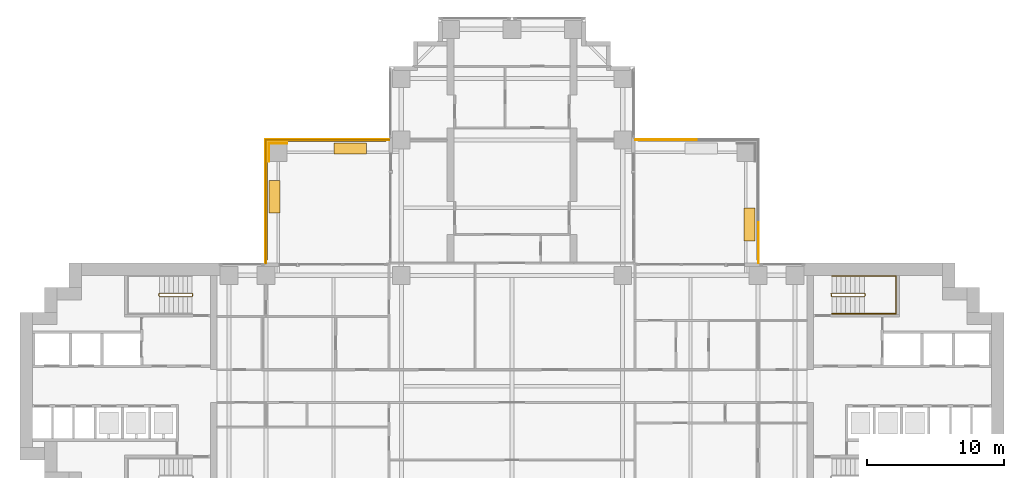
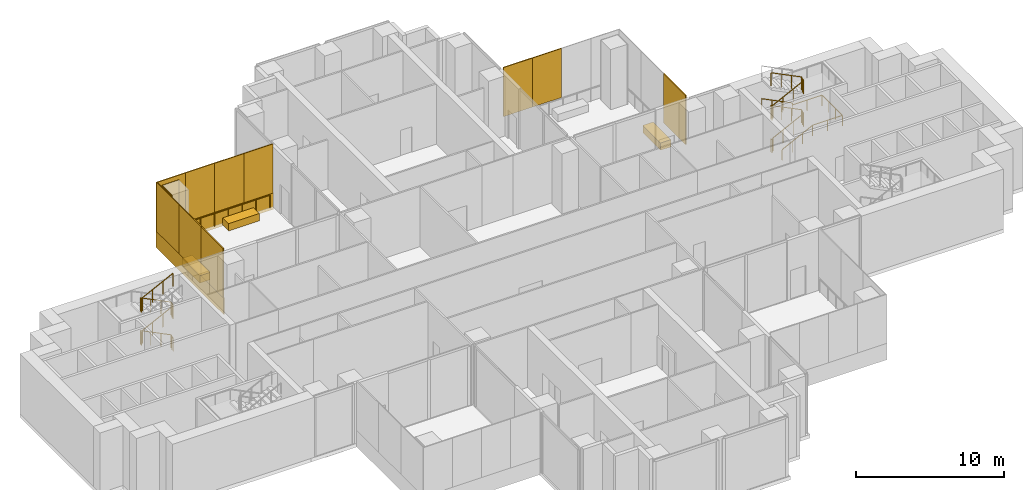
# One storey, part 15 of 17: 16 coverings, 4 railings.
"""IFC4 building model written with IfcOpenShell, lengths in metres."""

from ifc_helpers import new_model, si_unit, direction, frame, origin, origin_2d, place, context, subcontext, project, spatial, polyline, rectangle, outline, extrude, material, layer, layer_set, type_object, element, save


model = new_model("IFC4")

# Units and contexts
model_context = context("Model", 3, precision=1e-05, world=origin(), true_north=direction((0.0, 1.0)))
body_context = subcontext(model_context, "Body", "Model", "MODEL_VIEW")
ifc_project = project(units=[si_unit("LENGTHUNIT", "METRE"), si_unit("AREAUNIT", "SQUARE_METRE"), si_unit("VOLUMEUNIT", "CUBIC_METRE"), si_unit("PLANEANGLEUNIT", "RADIAN"), si_unit("MASSUNIT", "GRAM", prefix="KILO")], contexts=[model_context])

# Site, building, storey
site_placement = place(None, origin())
site = spatial("IfcSite", under=ifc_project, at=site_placement, CompositionType="ELEMENT")
building_placement = place(site_placement, origin())
building = spatial("IfcBuilding", under=site, at=building_placement, Name="Perihelion Cross Residences", CompositionType="ELEMENT")
storey_placement = place(building_placement, frame((0.0, 0.0, 92.5)))
storey = spatial("IfcBuildingStorey", under=building, at=storey_placement, Name="L21", CompositionType="ELEMENT", Elevation=92.5)

# Railing
ifc_material_1 = material(Name="Bronze anodised aluminium", Category="aluminium")
railing_type_1 = type_object("IfcRailingType", Name="Balcony guard 1100", PredefinedType="GUARDRAIL", material=ifc_material_1)
railing_1_placement = place(storey_placement, frame((-17.93994140625, 9.25, 0.0)))
element("IfcRailing", 1, at=railing_1_placement, inside=storey, type_object=railing_type_1, Name="Guard GU1 L21 pocket north-west 1", PredefinedType="GUARDRAIL", context=body_context, shape_type="SweptSolid", body=[
    extrude(rectangle(XDim=0.048095703125, YDim=0.048095703125, at=origin_2d()), frame((0.0, 0.0, 1.076171875), z_axis=(0.0, 1.0, 0.0), x_axis=(-1.0, 0.0, 0.0)), (0.0, 0.0, 1.0), 8.68994140625),
    extrude(rectangle(XDim=0.048095703125, YDim=0.048095703125, at=origin_2d()), frame((0.0, 8.68994140625, 1.076171875), z_axis=(1.0, 0.0, 0.0), x_axis=(0.0, 1.0, 0.0)), (0.0, 0.0, 1.0), 8.68994140625),
    extrude(rectangle(XDim=0.0419921875, YDim=0.0419921875, at=origin_2d()), origin(), (0.0, 0.0, 1.0), 1.052001953125),
    extrude(rectangle(XDim=0.0419921875, YDim=0.0419921875, at=origin_2d()), frame((0.0, 1.086181640625, 0.0)), (0.0, 0.0, 1.0), 1.052001953125),
    extrude(rectangle(XDim=0.0419921875, YDim=0.0419921875, at=origin_2d()), frame((0.0, 2.17236328125, 0.0)), (0.0, 0.0, 1.0), 1.052001953125),
    extrude(rectangle(XDim=0.0419921875, YDim=0.0419921875, at=origin_2d()), frame((0.0, 3.2587890625, 0.0)), (0.0, 0.0, 1.0), 1.052001953125),
    extrude(rectangle(XDim=0.0419921875, YDim=0.0419921875, at=origin_2d()), frame((0.0, 4.344970703125, 0.0)), (0.0, 0.0, 1.0), 1.052001953125),
    extrude(rectangle(XDim=0.0419921875, YDim=0.0419921875, at=origin_2d()), frame((0.0, 5.43115234375, 0.0)), (0.0, 0.0, 1.0), 1.052001953125),
    extrude(rectangle(XDim=0.0419921875, YDim=0.0419921875, at=origin_2d()), frame((0.0, 6.517578125, 0.0)), (0.0, 0.0, 1.0), 1.052001953125),
    extrude(rectangle(XDim=0.0419921875, YDim=0.0419921875, at=origin_2d()), frame((0.0, 7.603759765625, 0.0)), (0.0, 0.0, 1.0), 1.052001953125),
    extrude(rectangle(XDim=0.0419921875, YDim=0.0419921875, at=origin_2d()), frame((0.0, 8.68994140625, 0.0)), (0.0, 0.0, 1.0), 1.052001953125),
    extrude(rectangle(XDim=0.0419921875, YDim=0.0419921875, at=origin_2d()), frame((1.086181640625, 8.68994140625, 0.0)), (0.0, 0.0, 1.0), 1.052001953125),
    extrude(rectangle(XDim=0.0419921875, YDim=0.0419921875, at=origin_2d()), frame((2.17236328125, 8.68994140625, 0.0)), (0.0, 0.0, 1.0), 1.052001953125),
    extrude(rectangle(XDim=0.0419921875, YDim=0.0419921875, at=origin_2d()), frame((3.2587890625, 8.68994140625, 0.0)), (0.0, 0.0, 1.0), 1.052001953125),
    extrude(rectangle(XDim=0.0419921875, YDim=0.0419921875, at=origin_2d()), frame((4.344970703125, 8.68994140625, 0.0)), (0.0, 0.0, 1.0), 1.052001953125),
    extrude(rectangle(XDim=0.0419921875, YDim=0.0419921875, at=origin_2d()), frame((5.43115234375, 8.68994140625, 0.0)), (0.0, 0.0, 1.0), 1.052001953125),
    extrude(rectangle(XDim=0.0419921875, YDim=0.0419921875, at=origin_2d()), frame((6.517578125, 8.68994140625, 0.0)), (0.0, 0.0, 1.0), 1.052001953125),
    extrude(rectangle(XDim=0.0419921875, YDim=0.0419921875, at=origin_2d()), frame((7.603759765625, 8.68994140625, 0.0)), (0.0, 0.0, 1.0), 1.052001953125),
    extrude(rectangle(XDim=0.0419921875, YDim=0.0419921875, at=origin_2d()), frame((8.68994140625, 8.68994140625, 0.0)), (0.0, 0.0, 1.0), 1.052001953125),
])

# Coverings
ifc_material_2 = material(Name="Bronze anodised aluminium", Category="aluminium")
ifc_layer_1 = layer(ifc_material_2, 0.0400390625)
ifc_layer_set_1 = layer_set([ifc_layer_1], Name="Bronze column casing 40")
covering_type_1 = type_object("IfcCoveringType", Name="Bronze column casing 40", PredefinedType="CLADDING", material=ifc_layer_set_1)
covering_1_placement = place(storey_placement, frame((-17.77001953125, 17.10009765625, -0.300048828125), z_axis=(0.0, 0.0, 1.0), x_axis=(1.0, 0.0, 0.0)))
element("IfcCovering", 2, at=covering_1_placement, inside=storey, type_object=covering_type_1, Name="Cladding CC1 L21 casing east-west no. 2", PredefinedType="CLADDING", context=body_context, shape_type="SweptSolid", body=[
    extrude(rectangle(XDim=0.0400390625, YDim=1.3798828125, at=origin_2d()), origin(), (0.0, 0.0, 1.0), 5.25),
])
covering_2_placement = place(storey_placement, frame((-17.10009765625, 17.77001953125, -0.300048828125), z_axis=(0.0, 0.0, 1.0), x_axis=(1.0, 0.0, 0.0)))
element("IfcCovering", 3, at=covering_2_placement, inside=storey, type_object=covering_type_1, Name="Cladding CC1 L21 casing north-south no. 2", PredefinedType="CLADDING", context=body_context, shape_type="SweptSolid", body=[
    extrude(rectangle(XDim=1.300048828125, YDim=0.0400390625, at=origin_2d()), origin(), (0.0, 0.0, 1.0), 5.25),
])
ifc_material_3 = material(Name="Precast concrete C40/50", Category="concrete")
covering_type_2 = type_object("IfcCoveringType", Name="Planter box 2400", PredefinedType="USERDEFINED", material=ifc_material_3)
for number, where, z_axis, x_axis, name in (
    (4, (17.389892578125, 11.830078125, 0.0), (0.0, 0.0, 1.0), (0.0, -1.0, 0.0), "Planter PT1 L21 pocket north-east 2"),
    (5, (-17.389892578125, 13.85009765625, 0.0), (0.0, 0.0, 1.0), (0.0, 1.0, 0.0), "Planter PT1 L21 pocket north-west 1"),
    (6, (-11.830078125, 17.389892578125, 0.0), (0.0, 0.0, 1.0), (1.0, 0.0, 0.0), "Planter PT1 L21 pocket north-west 2"),
):
    element("IfcCovering", number, at=place(storey_placement, frame(where, z_axis=z_axis, x_axis=x_axis)), inside=storey, type_object=covering_type_2, Name=name, ObjectType="PLANTER", PredefinedType="USERDEFINED", context=body_context, shape_type="SweptSolid", body=[
        extrude(rectangle(XDim=2.39990234375, YDim=0.800048828125, at=origin_2d()), origin(), (0.0, 0.0, 1.0), 0.60009765625),
    ])
ifc_material_4 = material(Name="Bronze anodised aluminium", Category="aluminium")
ifc_layer_2 = layer(ifc_material_4, 0.070068359375)
ifc_layer_set_2 = layer_set([ifc_layer_2], Name="Pocket fascia 1350")
covering_type_3 = type_object("IfcCoveringType", Name="Pocket fascia 1350", PredefinedType="CLADDING", material=ifc_layer_set_2)
covering_3_placement = place(storey_placement, frame((0.0, 0.0, -0.25)))
element("IfcCovering", 7, at=covering_3_placement, inside=storey, type_object=covering_type_3, Name="Fascia BF2 L21 pocket north-west 1", PredefinedType="CLADDING", context=body_context, shape_type="SweptSolid", body=[
    extrude(outline(polyline([(-18.070068359375, 8.929931640625), (-18.0, 8.929931640625), (-18.0, 9.0), (-18.0, 9.0), (-18.0, 18.0), (-9.0, 18.0), (-9.0, 18.0), (-8.929931640625, 18.0), (-8.929931640625, 18.070068359375), (-18.070068359375, 18.070068359375), (-18.070068359375, 8.929931640625)])), origin(), (0.0, 0.0, 1.0), 1.35009765625),
])
ifc_material_5 = material(Name="Bronze perforated aluminium", Category="aluminium")
ifc_layer_3 = layer(ifc_material_5, 0.070068359375)
ifc_layer_set_3 = layer_set([ifc_layer_3], Name="Pocket solar screen, bronze perforated")
covering_type_4 = type_object("IfcCoveringType", Name="Pocket solar screen, bronze perforated", PredefinedType="CLADDING", material=ifc_layer_set_3)
covering_4_placement = place(storey_placement, frame((0.0, 0.0, 1.10009765625)))
element("IfcCovering", 8, at=covering_4_placement, inside=storey, type_object=covering_type_4, Name="Solar screen PS1 L21 pocket north-east no. 1", PredefinedType="CLADDING", context=body_context, shape_type="SweptSolid", body=[
    extrude(outline(polyline([(18.070068359375, 9.0), (18.070068359375, 12.0), (18.0, 12.0), (18.0, 9.0), (18.070068359375, 9.0)])), origin(), (0.0, 0.0, 1.0), 4.0498046875),
])
covering_5_placement = place(storey_placement, frame((0.0, 0.0, 1.10009765625)))
element("IfcCovering", 9, at=covering_5_placement, inside=storey, type_object=covering_type_4, Name="Solar screen PS1 L21 pocket north-east no. 4", PredefinedType="CLADDING", context=body_context, shape_type="SweptSolid", body=[
    extrude(outline(polyline([(11.267578125, 18.0), (11.267578125, 18.070068359375), (9.0, 18.070068359375), (9.0, 18.0), (11.267578125, 18.0)])), origin(), (0.0, 0.0, 1.0), 4.0498046875),
])
covering_6_placement = place(storey_placement, frame((0.0, 0.0, 1.10009765625)))
element("IfcCovering", 10, at=covering_6_placement, inside=storey, type_object=covering_type_4, Name="Solar screen PS1 L21 pocket north-east no. 5", PredefinedType="CLADDING", context=body_context, shape_type="SweptSolid", body=[
    extrude(outline(polyline([(13.534912109375, 18.0), (13.534912109375, 18.070068359375), (11.267578125, 18.070068359375), (11.267578125, 18.0), (13.534912109375, 18.0)])), origin(), (0.0, 0.0, 1.0), 4.0498046875),
])
covering_7_placement = place(storey_placement, frame((0.0, 0.0, 1.10009765625)))
element("IfcCovering", 11, at=covering_7_placement, inside=storey, type_object=covering_type_4, Name="Solar screen PS1 L21 pocket north-west no. 1", PredefinedType="CLADDING", context=body_context, shape_type="SweptSolid", body=[
    extrude(outline(polyline([(-18.0, 9.0), (-18.0, 12.0), (-18.070068359375, 12.0), (-18.070068359375, 9.0), (-18.0, 9.0)])), origin(), (0.0, 0.0, 1.0), 4.0498046875),
])
covering_8_placement = place(storey_placement, frame((0.0, 0.0, 1.10009765625)))
element("IfcCovering", 12, at=covering_8_placement, inside=storey, type_object=covering_type_4, Name="Solar screen PS1 L21 pocket north-west no. 2", PredefinedType="CLADDING", context=body_context, shape_type="SweptSolid", body=[
    extrude(outline(polyline([(-18.0, 12.0), (-18.0, 15.0), (-18.070068359375, 15.0), (-18.070068359375, 12.0), (-18.0, 12.0)])), origin(), (0.0, 0.0, 1.0), 4.0498046875),
])
covering_9_placement = place(storey_placement, frame((0.0, 0.0, 1.10009765625)))
element("IfcCovering", 13, at=covering_9_placement, inside=storey, type_object=covering_type_4, Name="Solar screen PS1 L21 pocket north-west no. 3", PredefinedType="CLADDING", context=body_context, shape_type="SweptSolid", body=[
    extrude(outline(polyline([(-18.0, 15.0), (-18.0, 18.0), (-18.070068359375, 18.0), (-18.070068359375, 15.0), (-18.0, 15.0)])), origin(), (0.0, 0.0, 1.0), 4.0498046875),
])
covering_10_placement = place(storey_placement, frame((0.0, 0.0, 1.10009765625)))
element("IfcCovering", 14, at=covering_10_placement, inside=storey, type_object=covering_type_4, Name="Solar screen PS1 L21 pocket north-west no. 4", PredefinedType="CLADDING", context=body_context, shape_type="SweptSolid", body=[
    extrude(outline(polyline([(-15.802490234375, 18.0), (-15.802490234375, 18.070068359375), (-18.070068359375, 18.070068359375), (-18.070068359375, 18.0), (-15.802490234375, 18.0)])), origin(), (0.0, 0.0, 1.0), 4.0498046875),
])
covering_11_placement = place(storey_placement, frame((0.0, 0.0, 1.10009765625)))
element("IfcCovering", 15, at=covering_11_placement, inside=storey, type_object=covering_type_4, Name="Solar screen PS1 L21 pocket north-west no. 5", PredefinedType="CLADDING", context=body_context, shape_type="SweptSolid", body=[
    extrude(outline(polyline([(-13.534912109375, 18.0), (-13.534912109375, 18.070068359375), (-15.802490234375, 18.070068359375), (-15.802490234375, 18.0), (-13.534912109375, 18.0)])), origin(), (0.0, 0.0, 1.0), 4.0498046875),
])
covering_12_placement = place(storey_placement, frame((0.0, 0.0, 1.10009765625)))
element("IfcCovering", 16, at=covering_12_placement, inside=storey, type_object=covering_type_4, Name="Solar screen PS1 L21 pocket north-west no. 6", PredefinedType="CLADDING", context=body_context, shape_type="SweptSolid", body=[
    extrude(outline(polyline([(-11.267578125, 18.0), (-11.267578125, 18.070068359375), (-13.534912109375, 18.070068359375), (-13.534912109375, 18.0), (-11.267578125, 18.0)])), origin(), (0.0, 0.0, 1.0), 4.0498046875),
])
covering_13_placement = place(storey_placement, frame((0.0, 0.0, 1.10009765625)))
element("IfcCovering", 17, at=covering_13_placement, inside=storey, type_object=covering_type_4, Name="Solar screen PS1 L21 pocket north-west no. 7", PredefinedType="CLADDING", context=body_context, shape_type="SweptSolid", body=[
    extrude(outline(polyline([(-9.0, 18.0), (-9.0, 18.070068359375), (-11.267578125, 18.070068359375), (-11.267578125, 18.0), (-9.0, 18.0)])), origin(), (0.0, 0.0, 1.0), 4.0498046875),
])

# Railings
ifc_material_6 = material(Name="Stainless steel", Category="steel")
railing_type_2 = type_object("IfcRailingType", Name="Stair guard 1100", PredefinedType="GUARDRAIL", material=ifc_material_6)
railing_2_placement = place(storey_placement, frame((23.35009765625, 6.75, 0.0)))
element("IfcRailing", 18, at=railing_2_placement, inside=storey, type_object=railing_type_2, Name="L21 ST-E1 stair guard 1", PredefinedType="GUARDRAIL", context=body_context, shape_type="SweptSolid", body=[
    extrude(rectangle(XDim=0.048095703125, YDim=0.048095703125, at=origin_2d()), frame((0.0, 0.0, 1.076171875), z_axis=(0.0, -1.0, 0.0), x_axis=(1.0, 0.0, 0.0)), (0.0, 0.0, 1.0), 0.14990234375),
    extrude(rectangle(XDim=0.048095703125, YDim=0.048095703125, at=origin_2d()), frame((0.0, -0.14990234375, 1.076171875), z_axis=(0.272333783174, -0.273668752699, 0.922463942026), x_axis=(0.708833529934, 0.705375805398, 0.0)), (0.0, 0.0, 1.0), 0.182861328125),
    extrude(rectangle(XDim=0.048095703125, YDim=0.048095703125, at=origin_2d()), frame((0.0498046875, -0.199951171875, 1.24462890625), z_axis=(0.895728066128, 0.0, 0.444602329674), x_axis=(0.0, 1.0, 0.0)), (0.0, 0.0, 1.0), 2.6572265625),
    extrude(rectangle(XDim=0.048095703125, YDim=0.048095703125, at=origin_2d()), frame((2.429931640625, -0.199951171875, 2.42626953125), z_axis=(0.707106781187, 0.707106781187, 0.0), x_axis=(-0.707106781187, 0.707106781187, 0.0)), (0.0, 0.0, 1.0), 0.07080078125),
    extrude(rectangle(XDim=0.048095703125, YDim=0.048095703125, at=origin_2d()), frame((2.47998046875, -0.14990234375, 2.42626953125), z_axis=(0.0, 1.0, 0.0), x_axis=(-1.0, 0.0, 0.0)), (0.0, 0.0, 1.0), 0.14990234375),
    extrude(rectangle(XDim=0.048095703125, YDim=0.048095703125, at=origin_2d()), frame((2.47998046875, 0.0, 2.42626953125), z_axis=(-0.273569069059, 0.273569069059, 0.922127935218), x_axis=(-0.707106781187, -0.707106781187, 0.0)), (0.0, 0.0, 1.0), 0.182861328125),
    extrude(rectangle(XDim=0.048095703125, YDim=0.048095703125, at=origin_2d()), frame((2.429931640625, 0.050048828125, 2.5947265625), z_axis=(-0.895764654725, 0.0, 0.444528608017), x_axis=(0.0, -1.0, 0.0)), (0.0, 0.0, 1.0), 2.656982421875),
    extrude(rectangle(XDim=0.048095703125, YDim=0.048095703125, at=origin_2d()), frame((0.0498046875, 0.050048828125, 3.77587890625), z_axis=(-0.241699205484, -0.970351222016, 0.0), x_axis=(0.970351222016, -0.241699205484, 0.0)), (0.0, 0.0, 1.0), 0.2060546875),
    extrude(rectangle(XDim=0.048095703125, YDim=0.048095703125, at=origin_2d()), frame((0.0, -0.14990234375, 3.77587890625), z_axis=(0.0, 1.0, 0.0), x_axis=(-1.0, 0.0, 0.0)), (0.0, 0.0, 1.0), 0.14990234375),
    extrude(rectangle(XDim=0.048095703125, YDim=0.048095703125, at=origin_2d()), frame((0.0, 0.0, 3.77587890625), z_axis=(0.187017651923, -0.750820867278, 0.633476458228), x_axis=(0.970351222016, 0.241699205484, 0.0)), (0.0, 0.0, 1.0), 0.266357421875),
    extrude(rectangle(XDim=0.048095703125, YDim=0.048095703125, at=origin_2d()), frame((0.0498046875, -0.199951171875, 3.94482421875), z_axis=(0.895728066128, 0.0, 0.444602329674), x_axis=(0.0, 1.0, 0.0)), (0.0, 0.0, 1.0), 2.6572265625),
    extrude(rectangle(XDim=0.048095703125, YDim=0.048095703125, at=origin_2d()), frame((2.429931640625, -0.199951171875, 5.1259765625), z_axis=(0.707106781187, 0.707106781187, 0.0), x_axis=(-0.707106781187, 0.707106781187, 0.0)), (0.0, 0.0, 1.0), 0.07080078125),
    extrude(rectangle(XDim=0.048095703125, YDim=0.048095703125, at=origin_2d()), frame((2.47998046875, -0.14990234375, 5.1259765625), z_axis=(0.0, 1.0, 0.0), x_axis=(-1.0, 0.0, 0.0)), (0.0, 0.0, 1.0), 0.14990234375),
    extrude(rectangle(XDim=0.048095703125, YDim=0.048095703125, at=origin_2d()), frame((2.47998046875, 0.0, 5.1259765625), z_axis=(-0.273569069059, 0.273569069059, 0.922127935218), x_axis=(-0.707106781187, -0.707106781187, 0.0)), (0.0, 0.0, 1.0), 0.182861328125),
    extrude(rectangle(XDim=0.048095703125, YDim=0.048095703125, at=origin_2d()), frame((2.429931640625, 0.050048828125, 5.294921875), z_axis=(-0.895764654725, 0.0, 0.444528608017), x_axis=(0.0, -1.0, 0.0)), (0.0, 0.0, 1.0), 2.656982421875),
    extrude(rectangle(XDim=0.0419921875, YDim=0.0419921875, at=origin_2d()), origin(), (0.0, 0.0, 1.0), 1.052001953125),
    extrude(rectangle(XDim=0.0419921875, YDim=0.0419921875, at=origin_2d()), frame((0.0, -0.14990234375, 0.0)), (0.0, 0.0, 1.0), 1.052001953125),
    extrude(rectangle(XDim=0.0419921875, YDim=0.0419921875, at=origin_2d()), frame((0.0498046875, -0.199951171875, 0.168701171875)), (0.0, 0.0, 1.0), 1.052001953125),
    extrude(rectangle(XDim=0.0419921875, YDim=0.0419921875, at=origin_2d()), frame((0.84326171875, -0.199951171875, 0.5625)), (0.0, 0.0, 1.0), 1.052001953125),
    extrude(rectangle(XDim=0.0419921875, YDim=0.0419921875, at=origin_2d()), frame((1.636474609375, -0.199951171875, 0.956298828125)), (0.0, 0.0, 1.0), 1.052001953125),
    extrude(rectangle(XDim=0.0419921875, YDim=0.0419921875, at=origin_2d()), frame((2.429931640625, -0.199951171875, 1.35009765625)), (0.0, 0.0, 1.0), 1.052001953125),
    extrude(rectangle(XDim=0.0419921875, YDim=0.0419921875, at=origin_2d()), frame((2.47998046875, -0.14990234375, 1.35009765625)), (0.0, 0.0, 1.0), 1.052001953125),
    extrude(rectangle(XDim=0.0419921875, YDim=0.0419921875, at=origin_2d()), frame((2.47998046875, 0.0, 1.35009765625)), (0.0, 0.0, 1.0), 1.052001953125),
    extrude(rectangle(XDim=0.0419921875, YDim=0.0419921875, at=origin_2d()), frame((2.429931640625, 0.050048828125, 1.518798828125)), (0.0, 0.0, 1.0), 1.052001953125),
    extrude(rectangle(XDim=0.0419921875, YDim=0.0419921875, at=origin_2d()), frame((1.636474609375, 0.050048828125, 1.91259765625)), (0.0, 0.0, 1.0), 1.052001953125),
    extrude(rectangle(XDim=0.0419921875, YDim=0.0419921875, at=origin_2d()), frame((0.84326171875, 0.050048828125, 2.30615234375)), (0.0, 0.0, 1.0), 1.052001953125),
    extrude(rectangle(XDim=0.0419921875, YDim=0.0419921875, at=origin_2d()), frame((0.0498046875, 0.050048828125, 2.699951171875)), (0.0, 0.0, 1.0), 1.052001953125),
    extrude(rectangle(XDim=0.0419921875, YDim=0.0419921875, at=origin_2d()), frame((0.0, -0.14990234375, 2.699951171875)), (0.0, 0.0, 1.0), 1.052001953125),
    extrude(rectangle(XDim=0.0419921875, YDim=0.0419921875, at=origin_2d()), frame((0.0, 0.0, 2.699951171875)), (0.0, 0.0, 1.0), 1.052001953125),
    extrude(rectangle(XDim=0.0419921875, YDim=0.0419921875, at=origin_2d()), frame((0.0498046875, -0.199951171875, 2.86865234375)), (0.0, 0.0, 1.0), 1.052001953125),
    extrude(rectangle(XDim=0.0419921875, YDim=0.0419921875, at=origin_2d()), frame((0.84326171875, -0.199951171875, 3.262451171875)), (0.0, 0.0, 1.0), 1.052001953125),
    extrude(rectangle(XDim=0.0419921875, YDim=0.0419921875, at=origin_2d()), frame((1.636474609375, -0.199951171875, 3.65625)), (0.0, 0.0, 1.0), 1.052001953125),
    extrude(rectangle(XDim=0.0419921875, YDim=0.0419921875, at=origin_2d()), frame((2.429931640625, -0.199951171875, 4.050048828125)), (0.0, 0.0, 1.0), 1.052001953125),
    extrude(rectangle(XDim=0.0419921875, YDim=0.0419921875, at=origin_2d()), frame((2.47998046875, -0.14990234375, 4.050048828125)), (0.0, 0.0, 1.0), 1.052001953125),
    extrude(rectangle(XDim=0.0419921875, YDim=0.0419921875, at=origin_2d()), frame((2.47998046875, 0.0, 4.050048828125)), (0.0, 0.0, 1.0), 1.052001953125),
    extrude(rectangle(XDim=0.0419921875, YDim=0.0419921875, at=origin_2d()), frame((2.429931640625, 0.050048828125, 4.21875)), (0.0, 0.0, 1.0), 1.052001953125),
    extrude(rectangle(XDim=0.0419921875, YDim=0.0419921875, at=origin_2d()), frame((1.636474609375, 0.050048828125, 4.612548828125)), (0.0, 0.0, 1.0), 1.052001953125),
    extrude(rectangle(XDim=0.0419921875, YDim=0.0419921875, at=origin_2d()), frame((0.84326171875, 0.050048828125, 5.006103515625)), (0.0, 0.0, 1.0), 1.052001953125),
    extrude(rectangle(XDim=0.0419921875, YDim=0.0419921875, at=origin_2d()), frame((0.0498046875, 0.050048828125, 5.39990234375)), (0.0, 0.0, 1.0), 1.052001953125),
])
railing_3_placement = place(storey_placement, frame((-23.35009765625, 6.60009765625, 0.0)))
element("IfcRailing", 19, at=railing_3_placement, inside=storey, type_object=railing_type_2, Name="L21 ST-W1 stair guard 1", PredefinedType="GUARDRAIL", context=body_context, shape_type="SweptSolid", body=[
    extrude(rectangle(XDim=0.048095703125, YDim=0.048095703125, at=origin_2d()), frame((0.0, 0.0, 1.076171875), z_axis=(0.0, 1.0, 0.0), x_axis=(-1.0, 0.0, 0.0)), (0.0, 0.0, 1.0), 0.14990234375),
    extrude(rectangle(XDim=0.048095703125, YDim=0.048095703125, at=origin_2d()), frame((0.0, 0.14990234375, 1.076171875), z_axis=(-0.272333783174, 0.273668752699, 0.922463942026), x_axis=(-0.708833529934, -0.705375805398, 0.0)), (0.0, 0.0, 1.0), 0.182861328125),
    extrude(rectangle(XDim=0.048095703125, YDim=0.048095703125, at=origin_2d()), frame((-0.0498046875, 0.199951171875, 1.24462890625), z_axis=(-0.895728066128, 0.0, 0.444602329674), x_axis=(0.0, -1.0, 0.0)), (0.0, 0.0, 1.0), 2.6572265625),
    extrude(rectangle(XDim=0.048095703125, YDim=0.048095703125, at=origin_2d()), frame((-2.429931640625, 0.199951171875, 2.42626953125), z_axis=(-0.707106781187, -0.707106781187, 0.0), x_axis=(0.707106781187, -0.707106781187, 0.0)), (0.0, 0.0, 1.0), 0.07080078125),
    extrude(rectangle(XDim=0.048095703125, YDim=0.048095703125, at=origin_2d()), frame((-2.47998046875, 0.14990234375, 2.42626953125), z_axis=(0.0, -1.0, 0.0), x_axis=(1.0, 0.0, 0.0)), (0.0, 0.0, 1.0), 0.14990234375),
    extrude(rectangle(XDim=0.048095703125, YDim=0.048095703125, at=origin_2d()), frame((-2.47998046875, 0.0, 2.42626953125), z_axis=(0.273569069059, -0.273569069059, 0.922127935218), x_axis=(0.707106781187, 0.707106781187, 0.0)), (0.0, 0.0, 1.0), 0.182861328125),
    extrude(rectangle(XDim=0.048095703125, YDim=0.048095703125, at=origin_2d()), frame((-2.429931640625, -0.050048828125, 2.5947265625), z_axis=(0.895764654725, 0.0, 0.444528608017), x_axis=(0.0, 1.0, 0.0)), (0.0, 0.0, 1.0), 2.656982421875),
    extrude(rectangle(XDim=0.048095703125, YDim=0.048095703125, at=origin_2d()), frame((-0.0498046875, -0.050048828125, 3.77587890625), z_axis=(0.241699205484, 0.970351222016, 0.0), x_axis=(-0.970351222016, 0.241699205484, 0.0)), (0.0, 0.0, 1.0), 0.2060546875),
    extrude(rectangle(XDim=0.048095703125, YDim=0.048095703125, at=origin_2d()), frame((0.0, 0.14990234375, 3.77587890625), z_axis=(0.0, -1.0, 0.0), x_axis=(1.0, 0.0, 0.0)), (0.0, 0.0, 1.0), 0.14990234375),
    extrude(rectangle(XDim=0.048095703125, YDim=0.048095703125, at=origin_2d()), frame((0.0, 0.0, 3.77587890625), z_axis=(-0.187017651923, 0.750820867278, 0.633476458228), x_axis=(-0.970351222016, -0.241699205484, 0.0)), (0.0, 0.0, 1.0), 0.266357421875),
    extrude(rectangle(XDim=0.048095703125, YDim=0.048095703125, at=origin_2d()), frame((-0.0498046875, 0.199951171875, 3.94482421875), z_axis=(-0.895728066128, 0.0, 0.444602329674), x_axis=(0.0, -1.0, 0.0)), (0.0, 0.0, 1.0), 2.6572265625),
    extrude(rectangle(XDim=0.048095703125, YDim=0.048095703125, at=origin_2d()), frame((-2.429931640625, 0.199951171875, 5.1259765625), z_axis=(-0.707106781187, -0.707106781187, 0.0), x_axis=(0.707106781187, -0.707106781187, 0.0)), (0.0, 0.0, 1.0), 0.07080078125),
    extrude(rectangle(XDim=0.048095703125, YDim=0.048095703125, at=origin_2d()), frame((-2.47998046875, 0.14990234375, 5.1259765625), z_axis=(0.0, -1.0, 0.0), x_axis=(1.0, 0.0, 0.0)), (0.0, 0.0, 1.0), 0.14990234375),
    extrude(rectangle(XDim=0.048095703125, YDim=0.048095703125, at=origin_2d()), frame((-2.47998046875, 0.0, 5.1259765625), z_axis=(0.273569069059, -0.273569069059, 0.922127935218), x_axis=(0.707106781187, 0.707106781187, 0.0)), (0.0, 0.0, 1.0), 0.182861328125),
    extrude(rectangle(XDim=0.048095703125, YDim=0.048095703125, at=origin_2d()), frame((-2.429931640625, -0.050048828125, 5.294921875), z_axis=(0.895764654725, 0.0, 0.444528608017), x_axis=(0.0, 1.0, 0.0)), (0.0, 0.0, 1.0), 2.656982421875),
    extrude(rectangle(XDim=0.0419921875, YDim=0.0419921875, at=origin_2d()), origin(), (0.0, 0.0, 1.0), 1.052001953125),
    extrude(rectangle(XDim=0.0419921875, YDim=0.0419921875, at=origin_2d()), frame((0.0, 0.14990234375, 0.0)), (0.0, 0.0, 1.0), 1.052001953125),
    extrude(rectangle(XDim=0.0419921875, YDim=0.0419921875, at=origin_2d()), frame((-0.0498046875, 0.199951171875, 0.168701171875)), (0.0, 0.0, 1.0), 1.052001953125),
    extrude(rectangle(XDim=0.0419921875, YDim=0.0419921875, at=origin_2d()), frame((-0.84326171875, 0.199951171875, 0.5625)), (0.0, 0.0, 1.0), 1.052001953125),
    extrude(rectangle(XDim=0.0419921875, YDim=0.0419921875, at=origin_2d()), frame((-1.636474609375, 0.199951171875, 0.956298828125)), (0.0, 0.0, 1.0), 1.052001953125),
    extrude(rectangle(XDim=0.0419921875, YDim=0.0419921875, at=origin_2d()), frame((-2.429931640625, 0.199951171875, 1.35009765625)), (0.0, 0.0, 1.0), 1.052001953125),
    extrude(rectangle(XDim=0.0419921875, YDim=0.0419921875, at=origin_2d()), frame((-2.47998046875, 0.14990234375, 1.35009765625)), (0.0, 0.0, 1.0), 1.052001953125),
    extrude(rectangle(XDim=0.0419921875, YDim=0.0419921875, at=origin_2d()), frame((-2.47998046875, 0.0, 1.35009765625)), (0.0, 0.0, 1.0), 1.052001953125),
    extrude(rectangle(XDim=0.0419921875, YDim=0.0419921875, at=origin_2d()), frame((-2.429931640625, -0.050048828125, 1.518798828125)), (0.0, 0.0, 1.0), 1.052001953125),
    extrude(rectangle(XDim=0.0419921875, YDim=0.0419921875, at=origin_2d()), frame((-1.636474609375, -0.050048828125, 1.91259765625)), (0.0, 0.0, 1.0), 1.052001953125),
    extrude(rectangle(XDim=0.0419921875, YDim=0.0419921875, at=origin_2d()), frame((-0.84326171875, -0.050048828125, 2.30615234375)), (0.0, 0.0, 1.0), 1.052001953125),
    extrude(rectangle(XDim=0.0419921875, YDim=0.0419921875, at=origin_2d()), frame((-0.0498046875, -0.050048828125, 2.699951171875)), (0.0, 0.0, 1.0), 1.052001953125),
    extrude(rectangle(XDim=0.0419921875, YDim=0.0419921875, at=origin_2d()), frame((0.0, 0.14990234375, 2.699951171875)), (0.0, 0.0, 1.0), 1.052001953125),
    extrude(rectangle(XDim=0.0419921875, YDim=0.0419921875, at=origin_2d()), frame((0.0, 0.0, 2.699951171875)), (0.0, 0.0, 1.0), 1.052001953125),
    extrude(rectangle(XDim=0.0419921875, YDim=0.0419921875, at=origin_2d()), frame((-0.0498046875, 0.199951171875, 2.86865234375)), (0.0, 0.0, 1.0), 1.052001953125),
    extrude(rectangle(XDim=0.0419921875, YDim=0.0419921875, at=origin_2d()), frame((-0.84326171875, 0.199951171875, 3.262451171875)), (0.0, 0.0, 1.0), 1.052001953125),
    extrude(rectangle(XDim=0.0419921875, YDim=0.0419921875, at=origin_2d()), frame((-1.636474609375, 0.199951171875, 3.65625)), (0.0, 0.0, 1.0), 1.052001953125),
    extrude(rectangle(XDim=0.0419921875, YDim=0.0419921875, at=origin_2d()), frame((-2.429931640625, 0.199951171875, 4.050048828125)), (0.0, 0.0, 1.0), 1.052001953125),
    extrude(rectangle(XDim=0.0419921875, YDim=0.0419921875, at=origin_2d()), frame((-2.47998046875, 0.14990234375, 4.050048828125)), (0.0, 0.0, 1.0), 1.052001953125),
    extrude(rectangle(XDim=0.0419921875, YDim=0.0419921875, at=origin_2d()), frame((-2.47998046875, 0.0, 4.050048828125)), (0.0, 0.0, 1.0), 1.052001953125),
    extrude(rectangle(XDim=0.0419921875, YDim=0.0419921875, at=origin_2d()), frame((-2.429931640625, -0.050048828125, 4.21875)), (0.0, 0.0, 1.0), 1.052001953125),
    extrude(rectangle(XDim=0.0419921875, YDim=0.0419921875, at=origin_2d()), frame((-1.636474609375, -0.050048828125, 4.612548828125)), (0.0, 0.0, 1.0), 1.052001953125),
    extrude(rectangle(XDim=0.0419921875, YDim=0.0419921875, at=origin_2d()), frame((-0.84326171875, -0.050048828125, 5.006103515625)), (0.0, 0.0, 1.0), 1.052001953125),
    extrude(rectangle(XDim=0.0419921875, YDim=0.0419921875, at=origin_2d()), frame((-0.0498046875, -0.050048828125, 5.39990234375)), (0.0, 0.0, 1.0), 1.052001953125),
])
ifc_material_7 = material(Name="Stainless steel", Category="steel")
railing_type_3 = type_object("IfcRailingType", Name="Stair handrail 900", PredefinedType="HANDRAIL", material=ifc_material_7)
railing_4_placement = place(storey_placement, frame((23.39990234375, 5.300048828125, 0.168701171875)))
element("IfcRailing", 20, at=railing_4_placement, inside=storey, type_object=railing_type_3, Name="L21 ST-E1 stair handrail 1", PredefinedType="HANDRAIL", context=body_context, shape_type="SweptSolid", body=[
    extrude(rectangle(XDim=0.048095703125, YDim=0.048095703125, at=origin_2d()), frame((0.0, 0.0, 0.8759765625), z_axis=(0.895728066128, 0.0, 0.444602329674), x_axis=(0.0, 1.0, 0.0)), (0.0, 0.0, 1.0), 2.6572265625),
    extrude(rectangle(XDim=0.048095703125, YDim=0.048095703125, at=origin_2d()), frame((2.380126953125, 0.0, 2.05712890625), z_axis=(1.0, 0.0, 0.0), x_axis=(0.0, 1.0, 0.0)), (0.0, 0.0, 1.0), 2.320068359375),
    extrude(rectangle(XDim=0.048095703125, YDim=0.048095703125, at=origin_2d()), frame((4.7001953125, 0.0, 2.05712890625), z_axis=(0.0, 1.0, 0.0), x_axis=(-1.0, 0.0, 0.0)), (0.0, 0.0, 1.0), 2.75),
    extrude(rectangle(XDim=0.048095703125, YDim=0.048095703125, at=origin_2d()), frame((4.7001953125, 2.75, 2.05712890625), z_axis=(-1.0, 0.0, 0.0), x_axis=(0.0, -1.0, 0.0)), (0.0, 0.0, 1.0), 2.320068359375),
    extrude(rectangle(XDim=0.048095703125, YDim=0.048095703125, at=origin_2d()), frame((2.380126953125, 2.75, 2.05712890625), z_axis=(0.0, 0.0, 1.0), x_axis=(1.0, 0.0, 0.0)), (0.0, 0.0, 1.0), 0.168701171875),
    extrude(rectangle(XDim=0.048095703125, YDim=0.048095703125, at=origin_2d()), frame((2.380126953125, 2.75, 2.22607421875), z_axis=(-0.895764654725, 0.0, 0.444528608017), x_axis=(0.0, -1.0, 0.0)), (0.0, 0.0, 1.0), 2.656982421875),
    extrude(rectangle(XDim=0.0419921875, YDim=0.0419921875, at=origin_2d()), origin(), (0.0, 0.0, 1.0), 0.851806640625),
    extrude(rectangle(XDim=0.0419921875, YDim=0.0419921875, at=origin_2d()), frame((0.79345703125, 0.0, 0.393798828125)), (0.0, 0.0, 1.0), 0.851806640625),
    extrude(rectangle(XDim=0.0419921875, YDim=0.0419921875, at=origin_2d()), frame((1.586669921875, 0.0, 0.78759765625)), (0.0, 0.0, 1.0), 0.851806640625),
    extrude(rectangle(XDim=0.0419921875, YDim=0.0419921875, at=origin_2d()), frame((2.380126953125, 0.0, 1.181396484375)), (0.0, 0.0, 1.0), 0.851806640625),
    extrude(rectangle(XDim=0.0419921875, YDim=0.0419921875, at=origin_2d()), frame((3.5400390625, 0.0, 1.181396484375)), (0.0, 0.0, 1.0), 0.851806640625),
    extrude(rectangle(XDim=0.0419921875, YDim=0.0419921875, at=origin_2d()), frame((4.7001953125, 0.0, 1.181396484375)), (0.0, 0.0, 1.0), 0.851806640625),
    extrude(rectangle(XDim=0.0419921875, YDim=0.0419921875, at=origin_2d()), frame((4.7001953125, 0.916748046875, 1.181396484375)), (0.0, 0.0, 1.0), 0.851806640625),
    extrude(rectangle(XDim=0.0419921875, YDim=0.0419921875, at=origin_2d()), frame((4.7001953125, 1.833251953125, 1.181396484375)), (0.0, 0.0, 1.0), 0.851806640625),
    extrude(rectangle(XDim=0.0419921875, YDim=0.0419921875, at=origin_2d()), frame((4.7001953125, 2.75, 1.181396484375)), (0.0, 0.0, 1.0), 0.851806640625),
    extrude(rectangle(XDim=0.0419921875, YDim=0.0419921875, at=origin_2d()), frame((3.5400390625, 2.75, 1.181396484375)), (0.0, 0.0, 1.0), 0.851806640625),
    extrude(rectangle(XDim=0.0419921875, YDim=0.0419921875, at=origin_2d()), frame((2.380126953125, 2.75, 1.181396484375)), (0.0, 0.0, 1.0), 0.851806640625),
    extrude(rectangle(XDim=0.0419921875, YDim=0.0419921875, at=origin_2d()), frame((2.380126953125, 2.75, 1.35009765625)), (0.0, 0.0, 1.0), 0.851806640625),
    extrude(rectangle(XDim=0.0419921875, YDim=0.0419921875, at=origin_2d()), frame((1.586669921875, 2.75, 1.743896484375)), (0.0, 0.0, 1.0), 0.851806640625),
    extrude(rectangle(XDim=0.0419921875, YDim=0.0419921875, at=origin_2d()), frame((0.79345703125, 2.75, 2.137451171875)), (0.0, 0.0, 1.0), 0.851806640625),
    extrude(rectangle(XDim=0.0419921875, YDim=0.0419921875, at=origin_2d()), frame((0.0, 2.75, 2.53125)), (0.0, 0.0, 1.0), 0.851806640625),
])

save(model, "model.ifc")
